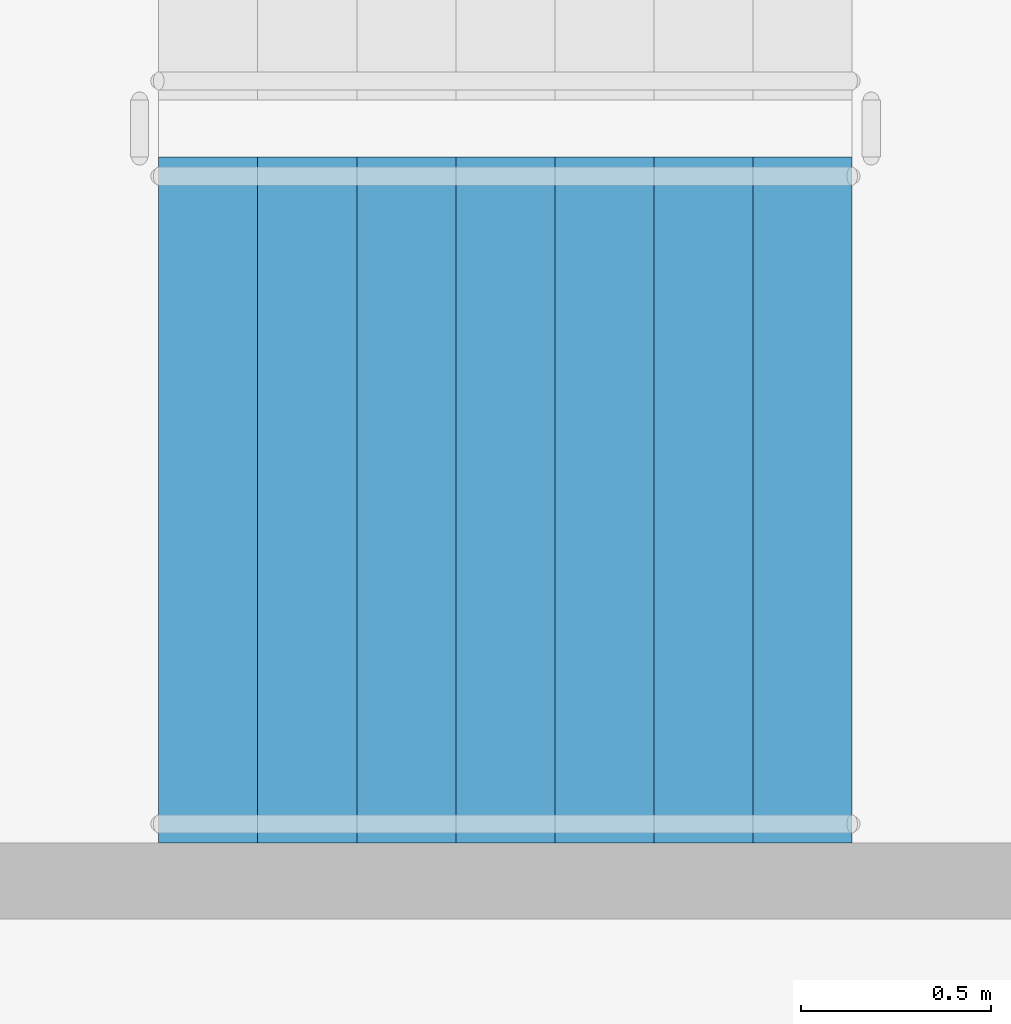
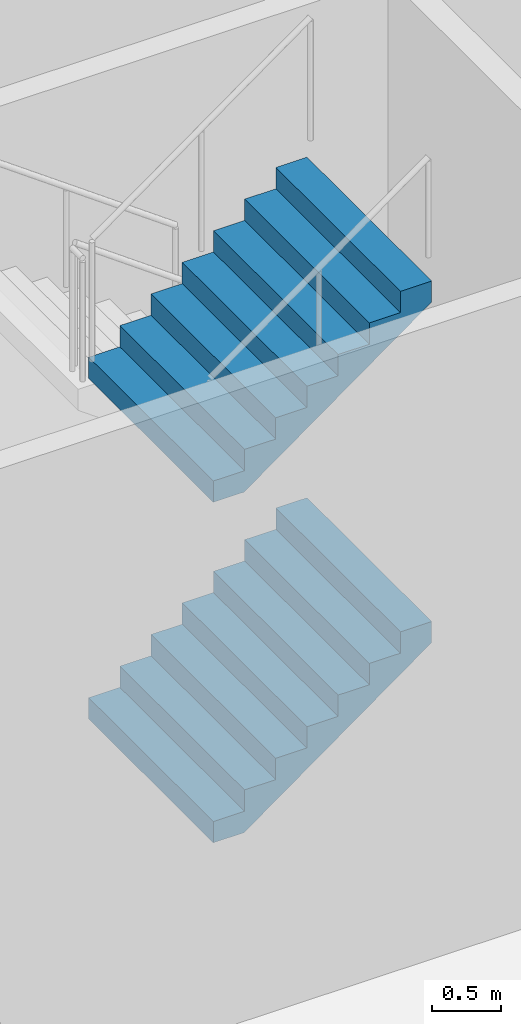
# One storey, part 60 of 75: 2 stair flights, 1 element without a shape of its own.
"""IFC4 building model written with IfcOpenShell, lengths in metres."""

from ifc_helpers import new_model, si_unit, direction, frame, origin, place, context, subcontext, project, spatial, faceted_brep, material, type_object, element, aggregate, save


model = new_model("IFC4")

# Units and contexts
model_context = context("Model", 3, precision=1e-05, world=origin(), true_north=direction((0.0, 1.0)))
body_context = subcontext(model_context, "Body", "Model", "MODEL_VIEW")
ifc_project = project(units=[si_unit("LENGTHUNIT", "METRE"), si_unit("AREAUNIT", "SQUARE_METRE"), si_unit("VOLUMEUNIT", "CUBIC_METRE"), si_unit("PLANEANGLEUNIT", "RADIAN"), si_unit("MASSUNIT", "GRAM", prefix="KILO")], contexts=[model_context])

# Site, building, storey
site_placement = place(None, origin())
site = spatial("IfcSite", under=ifc_project, at=site_placement, CompositionType="ELEMENT")
building_placement = place(site_placement, origin())
building = spatial("IfcBuilding", under=site, at=building_placement, Name="Ipe Terrace Towers", CompositionType="ELEMENT")
storey_placement = place(building_placement, origin())
storey = spatial("IfcBuildingStorey", under=building, at=storey_placement, Name="L00", CompositionType="ELEMENT", Elevation=0.0)

# Stair, stair flights
ifc_material_1 = material(Name="Concrete C30/37", Category="concrete")
stair_type = type_object("IfcStairType", Name="Protected exit stair", PredefinedType="HALF_TURN_STAIR", material=ifc_material_1)
stair_placement = place(storey_placement, origin())
stair = element("IfcStair", 1, at=stair_placement, inside=storey, type_object=stair_type, Name="L00 Podium exit stair PS3", PredefinedType="HALF_TURN_STAIR")
ifc_material_2 = material(Name="Concrete C30/37", Category="concrete")
stair_flight_type = type_object("IfcStairFlightType", Name="Exit stair flight 1800", PredefinedType="STRAIGHT", material=ifc_material_2)
stair_flight_1_placement = place(storey_placement, frame((50.949951171875, 23.550048828125, 1.5), z_axis=(0.0, 0.0, 1.0), x_axis=(1.0, 0.0, 0.0)))
stair_flight_1 = element("IfcStairFlight", 2, at=stair_flight_1_placement, type_object=stair_flight_type, Name="PS3 flight 2", NumberOfRisers=8, NumberOfTreads=7, PredefinedType="STRAIGHT", RiserHeight=0.1875, TreadLength=0.26, context=body_context, shape_type="Brep", body=[
    faceted_brep([(0.25634765625, -0.89990234375, 0.0), (1.820068359375, -0.89990234375, 1.127685546875), (1.820068359375, -0.89990234375, 1.3125), (1.56005859375, -0.89990234375, 1.3125), (1.56005859375, -0.89990234375, 1.125), (1.300048828125, -0.89990234375, 1.125), (1.300048828125, -0.89990234375, 0.9375), (1.0400390625, -0.89990234375, 0.9375), (1.0400390625, -0.89990234375, 0.75), (0.780029296875, -0.89990234375, 0.75), (0.780029296875, -0.89990234375, 0.5625), (0.52001953125, -0.89990234375, 0.5625), (0.52001953125, -0.89990234375, 0.375), (0.260009765625, -0.89990234375, 0.375), (0.260009765625, -0.89990234375, 0.1875), (0.0, -0.89990234375, 0.1875), (0.0, -0.89990234375, 0.0), (0.0, 0.89990234375, 0.0), (0.0, 0.89990234375, 0.1875), (0.260009765625, 0.89990234375, 0.1875), (0.260009765625, 0.89990234375, 0.375), (0.52001953125, 0.89990234375, 0.375), (0.52001953125, 0.89990234375, 0.5625), (0.780029296875, 0.89990234375, 0.5625), (0.780029296875, 0.89990234375, 0.75), (1.0400390625, 0.89990234375, 0.75), (1.0400390625, 0.89990234375, 0.9375), (1.300048828125, 0.89990234375, 0.9375), (1.300048828125, 0.89990234375, 1.125), (1.56005859375, 0.89990234375, 1.125), (1.56005859375, 0.89990234375, 1.3125), (1.820068359375, 0.89990234375, 1.3125), (1.820068359375, 0.89990234375, 1.127685546875), (0.25634765625, 0.89990234375, 0.0), (0.0, -0.300048828125, 0.1875), (0.0, -0.1201171875, 0.1875), (0.0, -0.06005859375, 0.1875), (0.0, -0.030029296875, 0.1875), (0.0, -0.010009765625, 0.1875), (0.0, 0.0, 0.1875), (0.0, 0.010009765625, 0.1875), (0.0, 0.030029296875, 0.1875), (0.0, 0.06005859375, 0.1875), (0.0, 0.1201171875, 0.1875), (0.0, 0.300048828125, 0.1875), (0.0, 0.300048828125, 0.0), (0.0, 0.1201171875, 0.0), (0.0, 0.06005859375, 0.0), (0.0, 0.030029296875, 0.0), (0.0, 0.010009765625, 0.0), (0.0, 0.0, 0.0), (0.0, -0.010009765625, 0.0), (0.0, -0.030029296875, 0.0), (0.0, -0.06005859375, 0.0), (0.0, -0.1201171875, 0.0), (0.0, -0.300048828125, 0.0), (0.260009765625, -0.300048828125, 0.1875), (0.260009765625, -0.1201171875, 0.1875), (0.260009765625, -0.06005859375, 0.1875), (0.260009765625, -0.030029296875, 0.1875), (0.260009765625, -0.010009765625, 0.1875), (0.260009765625, 0.0, 0.1875), (0.260009765625, 0.010009765625, 0.1875), (0.260009765625, 0.030029296875, 0.1875), (0.260009765625, 0.06005859375, 0.1875), (0.260009765625, 0.1201171875, 0.1875), (0.260009765625, 0.300048828125, 0.1875), (0.260009765625, -0.300048828125, 0.375), (0.260009765625, -0.1201171875, 0.375), (0.260009765625, -0.06005859375, 0.375), (0.260009765625, -0.030029296875, 0.375), (0.260009765625, -0.010009765625, 0.375), (0.260009765625, 0.0, 0.375), (0.260009765625, 0.010009765625, 0.375), (0.260009765625, 0.030029296875, 0.375), (0.260009765625, 0.06005859375, 0.375), (0.260009765625, 0.1201171875, 0.375), (0.260009765625, 0.300048828125, 0.375), (0.52001953125, -0.300048828125, 0.375), (0.52001953125, -0.1201171875, 0.375), (0.52001953125, -0.06005859375, 0.375), (0.52001953125, -0.030029296875, 0.375), (0.52001953125, -0.010009765625, 0.375), (0.52001953125, 0.0, 0.375), (0.52001953125, 0.010009765625, 0.375), (0.52001953125, 0.030029296875, 0.375), (0.52001953125, 0.06005859375, 0.375), (0.52001953125, 0.1201171875, 0.375), (0.52001953125, 0.300048828125, 0.375), (0.52001953125, -0.300048828125, 0.5625), (0.52001953125, -0.1201171875, 0.5625), (0.52001953125, -0.06005859375, 0.5625), (0.52001953125, -0.030029296875, 0.5625), (0.52001953125, -0.010009765625, 0.5625), (0.52001953125, 0.0, 0.5625), (0.52001953125, 0.010009765625, 0.5625), (0.52001953125, 0.030029296875, 0.5625), (0.52001953125, 0.06005859375, 0.5625), (0.52001953125, 0.1201171875, 0.5625), (0.52001953125, 0.300048828125, 0.5625), (0.780029296875, -0.300048828125, 0.5625), (0.780029296875, -0.1201171875, 0.5625), (0.780029296875, -0.06005859375, 0.5625), (0.780029296875, -0.030029296875, 0.5625), (0.780029296875, -0.010009765625, 0.5625), (0.780029296875, 0.0, 0.5625), (0.780029296875, 0.010009765625, 0.5625), (0.780029296875, 0.030029296875, 0.5625), (0.780029296875, 0.06005859375, 0.5625), (0.780029296875, 0.1201171875, 0.5625), (0.780029296875, 0.300048828125, 0.5625), (0.780029296875, -0.300048828125, 0.75), (0.780029296875, -0.1201171875, 0.75), (0.780029296875, -0.06005859375, 0.75), (0.780029296875, -0.030029296875, 0.75), (0.780029296875, -0.010009765625, 0.75), (0.780029296875, 0.0, 0.75), (0.780029296875, 0.010009765625, 0.75), (0.780029296875, 0.030029296875, 0.75), (0.780029296875, 0.06005859375, 0.75), (0.780029296875, 0.1201171875, 0.75), (0.780029296875, 0.300048828125, 0.75), (1.0400390625, -0.300048828125, 0.75), (1.0400390625, -0.1201171875, 0.75), (1.0400390625, -0.06005859375, 0.75), (1.0400390625, -0.030029296875, 0.75), (1.0400390625, -0.010009765625, 0.75), (1.0400390625, 0.0, 0.75), (1.0400390625, 0.010009765625, 0.75), (1.0400390625, 0.030029296875, 0.75), (1.0400390625, 0.06005859375, 0.75), (1.0400390625, 0.1201171875, 0.75), (1.0400390625, 0.300048828125, 0.75), (1.0400390625, -0.300048828125, 0.9375), (1.0400390625, -0.1201171875, 0.9375), (1.0400390625, -0.06005859375, 0.9375), (1.0400390625, -0.030029296875, 0.9375), (1.0400390625, -0.010009765625, 0.9375), (1.0400390625, 0.0, 0.9375), (1.0400390625, 0.010009765625, 0.9375), (1.0400390625, 0.030029296875, 0.9375), (1.0400390625, 0.06005859375, 0.9375), (1.0400390625, 0.1201171875, 0.9375), (1.0400390625, 0.300048828125, 0.9375), (1.300048828125, -0.300048828125, 0.9375), (1.300048828125, -0.1201171875, 0.9375), (1.300048828125, -0.06005859375, 0.9375), (1.300048828125, -0.030029296875, 0.9375), (1.300048828125, -0.010009765625, 0.9375), (1.300048828125, 0.0, 0.9375), (1.300048828125, 0.010009765625, 0.9375), (1.300048828125, 0.030029296875, 0.9375), (1.300048828125, 0.06005859375, 0.9375), (1.300048828125, 0.1201171875, 0.9375), (1.300048828125, 0.300048828125, 0.9375), (1.300048828125, -0.300048828125, 1.125), (1.300048828125, -0.1201171875, 1.125), (1.300048828125, -0.06005859375, 1.125), (1.300048828125, -0.030029296875, 1.125), (1.300048828125, -0.010009765625, 1.125), (1.300048828125, 0.0, 1.125), (1.300048828125, 0.010009765625, 1.125), (1.300048828125, 0.030029296875, 1.125), (1.300048828125, 0.06005859375, 1.125), (1.300048828125, 0.1201171875, 1.125), (1.300048828125, 0.300048828125, 1.125), (1.56005859375, -0.300048828125, 1.125), (1.56005859375, -0.1201171875, 1.125), (1.56005859375, -0.06005859375, 1.125), (1.56005859375, -0.030029296875, 1.125), (1.56005859375, -0.010009765625, 1.125), (1.56005859375, 0.0, 1.125), (1.56005859375, 0.010009765625, 1.125), (1.56005859375, 0.030029296875, 1.125), (1.56005859375, 0.06005859375, 1.125), (1.56005859375, 0.1201171875, 1.125), (1.56005859375, 0.300048828125, 1.125), (1.56005859375, -0.300048828125, 1.3125), (1.56005859375, -0.1201171875, 1.3125), (1.56005859375, -0.06005859375, 1.3125), (1.56005859375, -0.030029296875, 1.3125), (1.56005859375, -0.010009765625, 1.3125), (1.56005859375, 0.0, 1.3125), (1.56005859375, 0.010009765625, 1.3125), (1.56005859375, 0.030029296875, 1.3125), (1.56005859375, 0.06005859375, 1.3125), (1.56005859375, 0.1201171875, 1.3125), (1.56005859375, 0.300048828125, 1.3125), (1.820068359375, -0.300048828125, 1.3125), (1.820068359375, -0.1201171875, 1.3125), (1.820068359375, -0.06005859375, 1.3125), (1.820068359375, -0.030029296875, 1.3125), (1.820068359375, -0.010009765625, 1.3125), (1.820068359375, 0.0, 1.3125), (1.820068359375, 0.010009765625, 1.3125), (1.820068359375, 0.030029296875, 1.3125), (1.820068359375, 0.06005859375, 1.3125), (1.820068359375, 0.1201171875, 1.3125), (1.820068359375, 0.300048828125, 1.3125), (1.820068359375, -0.300048828125, 1.127685546875), (1.820068359375, -0.1201171875, 1.127685546875), (1.820068359375, -0.06005859375, 1.127685546875), (1.820068359375, -0.030029296875, 1.127685546875), (1.820068359375, -0.010009765625, 1.127685546875), (1.820068359375, 0.0, 1.127685546875), (1.820068359375, 0.010009765625, 1.127685546875), (1.820068359375, 0.030029296875, 1.127685546875), (1.820068359375, 0.06005859375, 1.127685546875), (1.820068359375, 0.1201171875, 1.127685546875), (1.820068359375, 0.300048828125, 1.127685546875), (0.25634765625, -0.300048828125, 0.0), (0.25634765625, -0.1201171875, 0.0), (0.25634765625, -0.06005859375, 0.0), (0.25634765625, -0.030029296875, 0.0), (0.25634765625, -0.010009765625, 0.0), (0.25634765625, 0.0, 0.0), (0.25634765625, 0.010009765625, 0.0), (0.25634765625, 0.030029296875, 0.0), (0.25634765625, 0.06005859375, 0.0), (0.25634765625, 0.1201171875, 0.0), (0.25634765625, 0.300048828125, 0.0)], [[[0, 1, 2, 3, 4, 5, 6, 7, 8, 9, 10, 11, 12, 13, 14, 15, 16]], [[17, 18, 19, 20, 21, 22, 23, 24, 25, 26, 27, 28, 29, 30, 31, 32, 33]], [[15, 34, 35, 36, 37, 38, 39, 40, 41, 42, 43, 44, 18, 17, 45, 46, 47, 48, 49, 50, 51, 52, 53, 54, 55, 16]], [[14, 56, 57, 58, 59, 60, 61, 62, 63, 64, 65, 66, 19, 18, 44, 43, 42, 41, 40, 39, 38, 37, 36, 35, 34, 15]], [[13, 67, 68, 69, 70, 71, 72, 73, 74, 75, 76, 77, 20, 19, 66, 65, 64, 63, 62, 61, 60, 59, 58, 57, 56, 14]], [[12, 78, 79, 80, 81, 82, 83, 84, 85, 86, 87, 88, 21, 20, 77, 76, 75, 74, 73, 72, 71, 70, 69, 68, 67, 13]], [[11, 89, 90, 91, 92, 93, 94, 95, 96, 97, 98, 99, 22, 21, 88, 87, 86, 85, 84, 83, 82, 81, 80, 79, 78, 12]], [[10, 100, 101, 102, 103, 104, 105, 106, 107, 108, 109, 110, 23, 22, 99, 98, 97, 96, 95, 94, 93, 92, 91, 90, 89, 11]], [[9, 111, 112, 113, 114, 115, 116, 117, 118, 119, 120, 121, 24, 23, 110, 109, 108, 107, 106, 105, 104, 103, 102, 101, 100, 10]], [[8, 122, 123, 124, 125, 126, 127, 128, 129, 130, 131, 132, 25, 24, 121, 120, 119, 118, 117, 116, 115, 114, 113, 112, 111, 9]], [[7, 133, 134, 135, 136, 137, 138, 139, 140, 141, 142, 143, 26, 25, 132, 131, 130, 129, 128, 127, 126, 125, 124, 123, 122, 8]], [[6, 144, 145, 146, 147, 148, 149, 150, 151, 152, 153, 154, 27, 26, 143, 142, 141, 140, 139, 138, 137, 136, 135, 134, 133, 7]], [[5, 155, 156, 157, 158, 159, 160, 161, 162, 163, 164, 165, 28, 27, 154, 153, 152, 151, 150, 149, 148, 147, 146, 145, 144, 6]], [[4, 166, 167, 168, 169, 170, 171, 172, 173, 174, 175, 176, 29, 28, 165, 164, 163, 162, 161, 160, 159, 158, 157, 156, 155, 5]], [[3, 177, 178, 179, 180, 181, 182, 183, 184, 185, 186, 187, 30, 29, 176, 175, 174, 173, 172, 171, 170, 169, 168, 167, 166, 4]], [[2, 188, 189, 190, 191, 192, 193, 194, 195, 196, 197, 198, 31, 30, 187, 186, 185, 184, 183, 182, 181, 180, 179, 178, 177, 3]], [[1, 199, 200, 201, 202, 203, 204, 205, 206, 207, 208, 209, 32, 31, 198, 197, 196, 195, 194, 193, 192, 191, 190, 189, 188, 2]], [[0, 210, 211, 212, 213, 214, 215, 216, 217, 218, 219, 220, 33, 32, 209, 208, 207, 206, 205, 204, 203, 202, 201, 200, 199, 1]], [[16, 55, 54, 53, 52, 51, 50, 49, 48, 47, 46, 45, 17, 33, 220, 219, 218, 217, 216, 215, 214, 213, 212, 211, 210, 0]]]),
])
stair_flight_2_placement = place(storey_placement, frame((50.949951171875, 23.550048828125, 4.5), z_axis=(0.0, 0.0, 1.0), x_axis=(1.0, 0.0, 0.0)))
stair_flight_2 = element("IfcStairFlight", 3, at=stair_flight_2_placement, type_object=stair_flight_type, Name="PS3 flight 4", NumberOfRisers=8, NumberOfTreads=7, PredefinedType="STRAIGHT", RiserHeight=0.1875, TreadLength=0.26, context=body_context, shape_type="Brep", body=[
    faceted_brep([(0.25634765625, -0.89990234375, 0.0), (1.820068359375, -0.89990234375, 1.127685546875), (1.820068359375, -0.89990234375, 1.3125), (1.56005859375, -0.89990234375, 1.3125), (1.56005859375, -0.89990234375, 1.125), (1.300048828125, -0.89990234375, 1.125), (1.300048828125, -0.89990234375, 0.9375), (1.0400390625, -0.89990234375, 0.9375), (1.0400390625, -0.89990234375, 0.75), (0.780029296875, -0.89990234375, 0.75), (0.780029296875, -0.89990234375, 0.5625), (0.52001953125, -0.89990234375, 0.5625), (0.52001953125, -0.89990234375, 0.375), (0.260009765625, -0.89990234375, 0.375), (0.260009765625, -0.89990234375, 0.1875), (0.0, -0.89990234375, 0.1875), (0.0, -0.89990234375, 0.0), (0.0, 0.89990234375, 0.0), (0.0, 0.89990234375, 0.1875), (0.260009765625, 0.89990234375, 0.1875), (0.260009765625, 0.89990234375, 0.375), (0.52001953125, 0.89990234375, 0.375), (0.52001953125, 0.89990234375, 0.5625), (0.780029296875, 0.89990234375, 0.5625), (0.780029296875, 0.89990234375, 0.75), (1.0400390625, 0.89990234375, 0.75), (1.0400390625, 0.89990234375, 0.9375), (1.300048828125, 0.89990234375, 0.9375), (1.300048828125, 0.89990234375, 1.125), (1.56005859375, 0.89990234375, 1.125), (1.56005859375, 0.89990234375, 1.3125), (1.820068359375, 0.89990234375, 1.3125), (1.820068359375, 0.89990234375, 1.127685546875), (0.25634765625, 0.89990234375, 0.0), (0.0, -0.300048828125, 0.1875), (0.0, -0.1201171875, 0.1875), (0.0, -0.06005859375, 0.1875), (0.0, -0.030029296875, 0.1875), (0.0, -0.010009765625, 0.1875), (0.0, 0.0, 0.1875), (0.0, 0.010009765625, 0.1875), (0.0, 0.030029296875, 0.1875), (0.0, 0.06005859375, 0.1875), (0.0, 0.1201171875, 0.1875), (0.0, 0.300048828125, 0.1875), (0.0, 0.300048828125, 0.0), (0.0, 0.1201171875, 0.0), (0.0, 0.06005859375, 0.0), (0.0, 0.030029296875, 0.0), (0.0, 0.010009765625, 0.0), (0.0, 0.0, 0.0), (0.0, -0.010009765625, 0.0), (0.0, -0.030029296875, 0.0), (0.0, -0.06005859375, 0.0), (0.0, -0.1201171875, 0.0), (0.0, -0.300048828125, 0.0), (0.260009765625, -0.300048828125, 0.1875), (0.260009765625, -0.1201171875, 0.1875), (0.260009765625, -0.06005859375, 0.1875), (0.260009765625, -0.030029296875, 0.1875), (0.260009765625, -0.010009765625, 0.1875), (0.260009765625, 0.0, 0.1875), (0.260009765625, 0.010009765625, 0.1875), (0.260009765625, 0.030029296875, 0.1875), (0.260009765625, 0.06005859375, 0.1875), (0.260009765625, 0.1201171875, 0.1875), (0.260009765625, 0.300048828125, 0.1875), (0.260009765625, -0.300048828125, 0.375), (0.260009765625, -0.1201171875, 0.375), (0.260009765625, -0.06005859375, 0.375), (0.260009765625, -0.030029296875, 0.375), (0.260009765625, -0.010009765625, 0.375), (0.260009765625, 0.0, 0.375), (0.260009765625, 0.010009765625, 0.375), (0.260009765625, 0.030029296875, 0.375), (0.260009765625, 0.06005859375, 0.375), (0.260009765625, 0.1201171875, 0.375), (0.260009765625, 0.300048828125, 0.375), (0.52001953125, -0.300048828125, 0.375), (0.52001953125, -0.1201171875, 0.375), (0.52001953125, -0.06005859375, 0.375), (0.52001953125, -0.030029296875, 0.375), (0.52001953125, -0.010009765625, 0.375), (0.52001953125, 0.0, 0.375), (0.52001953125, 0.010009765625, 0.375), (0.52001953125, 0.030029296875, 0.375), (0.52001953125, 0.06005859375, 0.375), (0.52001953125, 0.1201171875, 0.375), (0.52001953125, 0.300048828125, 0.375), (0.52001953125, -0.300048828125, 0.5625), (0.52001953125, -0.1201171875, 0.5625), (0.52001953125, -0.06005859375, 0.5625), (0.52001953125, -0.030029296875, 0.5625), (0.52001953125, -0.010009765625, 0.5625), (0.52001953125, 0.0, 0.5625), (0.52001953125, 0.010009765625, 0.5625), (0.52001953125, 0.030029296875, 0.5625), (0.52001953125, 0.06005859375, 0.5625), (0.52001953125, 0.1201171875, 0.5625), (0.52001953125, 0.300048828125, 0.5625), (0.780029296875, -0.300048828125, 0.5625), (0.780029296875, -0.1201171875, 0.5625), (0.780029296875, -0.06005859375, 0.5625), (0.780029296875, -0.030029296875, 0.5625), (0.780029296875, -0.010009765625, 0.5625), (0.780029296875, 0.0, 0.5625), (0.780029296875, 0.010009765625, 0.5625), (0.780029296875, 0.030029296875, 0.5625), (0.780029296875, 0.06005859375, 0.5625), (0.780029296875, 0.1201171875, 0.5625), (0.780029296875, 0.300048828125, 0.5625), (0.780029296875, -0.300048828125, 0.75), (0.780029296875, -0.1201171875, 0.75), (0.780029296875, -0.06005859375, 0.75), (0.780029296875, -0.030029296875, 0.75), (0.780029296875, -0.010009765625, 0.75), (0.780029296875, 0.0, 0.75), (0.780029296875, 0.010009765625, 0.75), (0.780029296875, 0.030029296875, 0.75), (0.780029296875, 0.06005859375, 0.75), (0.780029296875, 0.1201171875, 0.75), (0.780029296875, 0.300048828125, 0.75), (1.0400390625, -0.300048828125, 0.75), (1.0400390625, -0.1201171875, 0.75), (1.0400390625, -0.06005859375, 0.75), (1.0400390625, -0.030029296875, 0.75), (1.0400390625, -0.010009765625, 0.75), (1.0400390625, 0.0, 0.75), (1.0400390625, 0.010009765625, 0.75), (1.0400390625, 0.030029296875, 0.75), (1.0400390625, 0.06005859375, 0.75), (1.0400390625, 0.1201171875, 0.75), (1.0400390625, 0.300048828125, 0.75), (1.0400390625, -0.300048828125, 0.9375), (1.0400390625, -0.1201171875, 0.9375), (1.0400390625, -0.06005859375, 0.9375), (1.0400390625, -0.030029296875, 0.9375), (1.0400390625, -0.010009765625, 0.9375), (1.0400390625, 0.0, 0.9375), (1.0400390625, 0.010009765625, 0.9375), (1.0400390625, 0.030029296875, 0.9375), (1.0400390625, 0.06005859375, 0.9375), (1.0400390625, 0.1201171875, 0.9375), (1.0400390625, 0.300048828125, 0.9375), (1.300048828125, -0.300048828125, 0.9375), (1.300048828125, -0.1201171875, 0.9375), (1.300048828125, -0.06005859375, 0.9375), (1.300048828125, -0.030029296875, 0.9375), (1.300048828125, -0.010009765625, 0.9375), (1.300048828125, 0.0, 0.9375), (1.300048828125, 0.010009765625, 0.9375), (1.300048828125, 0.030029296875, 0.9375), (1.300048828125, 0.06005859375, 0.9375), (1.300048828125, 0.1201171875, 0.9375), (1.300048828125, 0.300048828125, 0.9375), (1.300048828125, -0.300048828125, 1.125), (1.300048828125, -0.1201171875, 1.125), (1.300048828125, -0.06005859375, 1.125), (1.300048828125, -0.030029296875, 1.125), (1.300048828125, -0.010009765625, 1.125), (1.300048828125, 0.0, 1.125), (1.300048828125, 0.010009765625, 1.125), (1.300048828125, 0.030029296875, 1.125), (1.300048828125, 0.06005859375, 1.125), (1.300048828125, 0.1201171875, 1.125), (1.300048828125, 0.300048828125, 1.125), (1.56005859375, -0.300048828125, 1.125), (1.56005859375, -0.1201171875, 1.125), (1.56005859375, -0.06005859375, 1.125), (1.56005859375, -0.030029296875, 1.125), (1.56005859375, -0.010009765625, 1.125), (1.56005859375, 0.0, 1.125), (1.56005859375, 0.010009765625, 1.125), (1.56005859375, 0.030029296875, 1.125), (1.56005859375, 0.06005859375, 1.125), (1.56005859375, 0.1201171875, 1.125), (1.56005859375, 0.300048828125, 1.125), (1.56005859375, -0.300048828125, 1.3125), (1.56005859375, -0.1201171875, 1.3125), (1.56005859375, -0.06005859375, 1.3125), (1.56005859375, -0.030029296875, 1.3125), (1.56005859375, -0.010009765625, 1.3125), (1.56005859375, 0.0, 1.3125), (1.56005859375, 0.010009765625, 1.3125), (1.56005859375, 0.030029296875, 1.3125), (1.56005859375, 0.06005859375, 1.3125), (1.56005859375, 0.1201171875, 1.3125), (1.56005859375, 0.300048828125, 1.3125), (1.820068359375, -0.300048828125, 1.3125), (1.820068359375, -0.1201171875, 1.3125), (1.820068359375, -0.06005859375, 1.3125), (1.820068359375, -0.030029296875, 1.3125), (1.820068359375, -0.010009765625, 1.3125), (1.820068359375, 0.0, 1.3125), (1.820068359375, 0.010009765625, 1.3125), (1.820068359375, 0.030029296875, 1.3125), (1.820068359375, 0.06005859375, 1.3125), (1.820068359375, 0.1201171875, 1.3125), (1.820068359375, 0.300048828125, 1.3125), (1.820068359375, -0.300048828125, 1.127685546875), (1.820068359375, -0.1201171875, 1.127685546875), (1.820068359375, -0.06005859375, 1.127685546875), (1.820068359375, -0.030029296875, 1.127685546875), (1.820068359375, -0.010009765625, 1.127685546875), (1.820068359375, 0.0, 1.127685546875), (1.820068359375, 0.010009765625, 1.127685546875), (1.820068359375, 0.030029296875, 1.127685546875), (1.820068359375, 0.06005859375, 1.127685546875), (1.820068359375, 0.1201171875, 1.127685546875), (1.820068359375, 0.300048828125, 1.127685546875), (0.25634765625, -0.300048828125, 0.0), (0.25634765625, -0.1201171875, 0.0), (0.25634765625, -0.06005859375, 0.0), (0.25634765625, -0.030029296875, 0.0), (0.25634765625, -0.010009765625, 0.0), (0.25634765625, 0.0, 0.0), (0.25634765625, 0.010009765625, 0.0), (0.25634765625, 0.030029296875, 0.0), (0.25634765625, 0.06005859375, 0.0), (0.25634765625, 0.1201171875, 0.0), (0.25634765625, 0.300048828125, 0.0)], [[[0, 1, 2, 3, 4, 5, 6, 7, 8, 9, 10, 11, 12, 13, 14, 15, 16]], [[17, 18, 19, 20, 21, 22, 23, 24, 25, 26, 27, 28, 29, 30, 31, 32, 33]], [[15, 34, 35, 36, 37, 38, 39, 40, 41, 42, 43, 44, 18, 17, 45, 46, 47, 48, 49, 50, 51, 52, 53, 54, 55, 16]], [[14, 56, 57, 58, 59, 60, 61, 62, 63, 64, 65, 66, 19, 18, 44, 43, 42, 41, 40, 39, 38, 37, 36, 35, 34, 15]], [[13, 67, 68, 69, 70, 71, 72, 73, 74, 75, 76, 77, 20, 19, 66, 65, 64, 63, 62, 61, 60, 59, 58, 57, 56, 14]], [[12, 78, 79, 80, 81, 82, 83, 84, 85, 86, 87, 88, 21, 20, 77, 76, 75, 74, 73, 72, 71, 70, 69, 68, 67, 13]], [[11, 89, 90, 91, 92, 93, 94, 95, 96, 97, 98, 99, 22, 21, 88, 87, 86, 85, 84, 83, 82, 81, 80, 79, 78, 12]], [[10, 100, 101, 102, 103, 104, 105, 106, 107, 108, 109, 110, 23, 22, 99, 98, 97, 96, 95, 94, 93, 92, 91, 90, 89, 11]], [[9, 111, 112, 113, 114, 115, 116, 117, 118, 119, 120, 121, 24, 23, 110, 109, 108, 107, 106, 105, 104, 103, 102, 101, 100, 10]], [[8, 122, 123, 124, 125, 126, 127, 128, 129, 130, 131, 132, 25, 24, 121, 120, 119, 118, 117, 116, 115, 114, 113, 112, 111, 9]], [[7, 133, 134, 135, 136, 137, 138, 139, 140, 141, 142, 143, 26, 25, 132, 131, 130, 129, 128, 127, 126, 125, 124, 123, 122, 8]], [[6, 144, 145, 146, 147, 148, 149, 150, 151, 152, 153, 154, 27, 26, 143, 142, 141, 140, 139, 138, 137, 136, 135, 134, 133, 7]], [[5, 155, 156, 157, 158, 159, 160, 161, 162, 163, 164, 165, 28, 27, 154, 153, 152, 151, 150, 149, 148, 147, 146, 145, 144, 6]], [[4, 166, 167, 168, 169, 170, 171, 172, 173, 174, 175, 176, 29, 28, 165, 164, 163, 162, 161, 160, 159, 158, 157, 156, 155, 5]], [[3, 177, 178, 179, 180, 181, 182, 183, 184, 185, 186, 187, 30, 29, 176, 175, 174, 173, 172, 171, 170, 169, 168, 167, 166, 4]], [[2, 188, 189, 190, 191, 192, 193, 194, 195, 196, 197, 198, 31, 30, 187, 186, 185, 184, 183, 182, 181, 180, 179, 178, 177, 3]], [[1, 199, 200, 201, 202, 203, 204, 205, 206, 207, 208, 209, 32, 31, 198, 197, 196, 195, 194, 193, 192, 191, 190, 189, 188, 2]], [[0, 210, 211, 212, 213, 214, 215, 216, 217, 218, 219, 220, 33, 32, 209, 208, 207, 206, 205, 204, 203, 202, 201, 200, 199, 1]], [[16, 55, 54, 53, 52, 51, 50, 49, 48, 47, 46, 45, 17, 33, 220, 219, 218, 217, 216, 215, 214, 213, 212, 211, 210, 0]]]),
])
aggregate(stair, [stair_flight_1, stair_flight_2])

save(model, "model.ifc")
